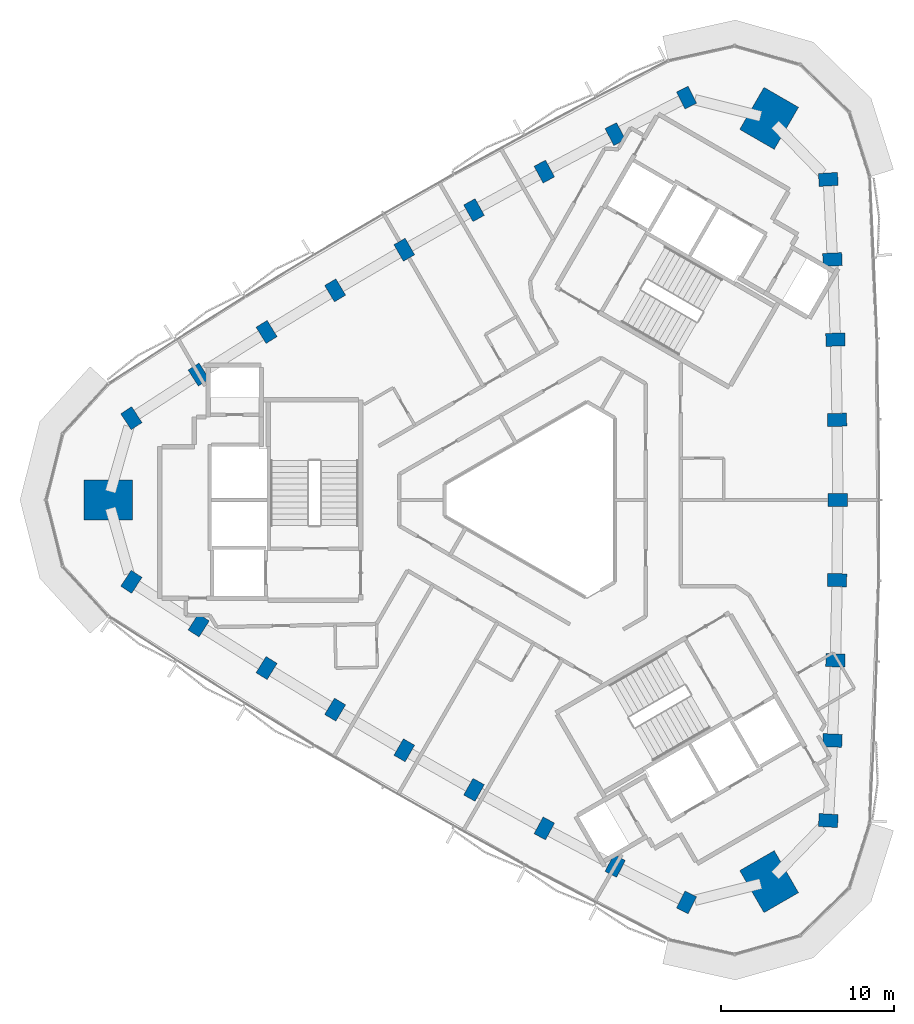
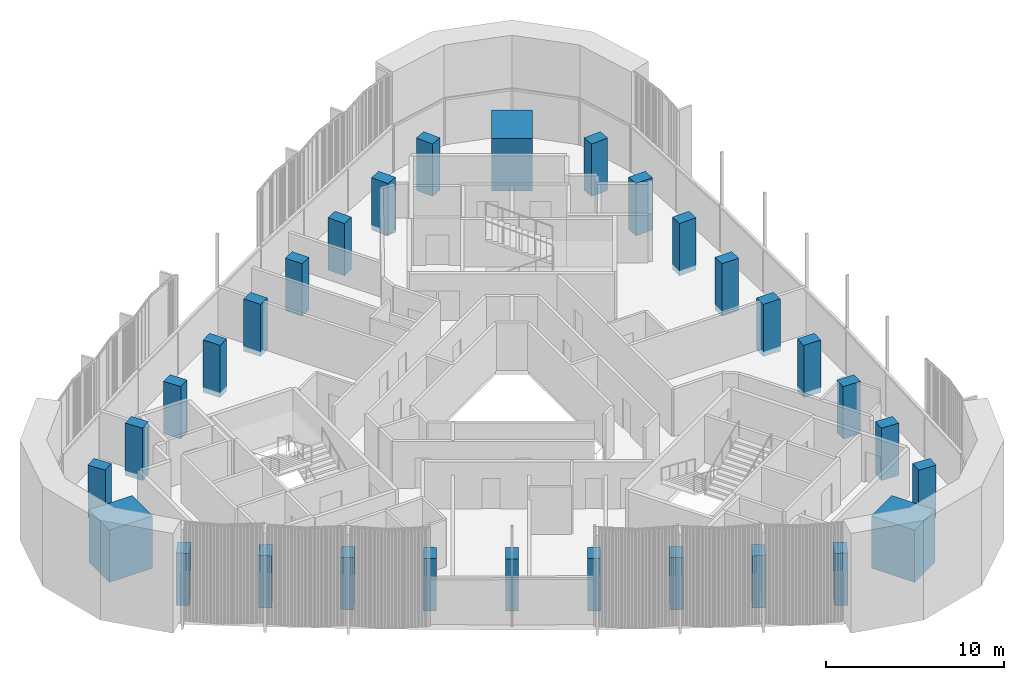
# One storey, part 1 of 16: 30 columns.
"""IFC4 building model written with IfcOpenShell, lengths in metres."""

from ifc_helpers import new_model, si_unit, direction, frame, origin, origin_2d, place, context, subcontext, project, spatial, rectangle, extrude, material, material_profile, profile_set, type_object, element, save


model = new_model("IFC4")

# Units and contexts
model_context = context("Model", 3, precision=1e-05, world=origin(), true_north=direction((0.0, 1.0)))
body_context = subcontext(model_context, "Body", "Model", "MODEL_VIEW")
ifc_project = project(units=[si_unit("LENGTHUNIT", "METRE"), si_unit("AREAUNIT", "SQUARE_METRE"), si_unit("VOLUMEUNIT", "CUBIC_METRE"), si_unit("PLANEANGLEUNIT", "RADIAN"), si_unit("MASSUNIT", "GRAM", prefix="KILO")], contexts=[model_context])

# Site, building, storey
site_placement = place(None, origin())
site = spatial("IfcSite", under=ifc_project, at=site_placement, CompositionType="ELEMENT")
building_placement = place(site_placement, origin())
building = spatial("IfcBuilding", under=site, at=building_placement, Name="Tamra Quay Hotel Tower", CompositionType="ELEMENT")
storey_placement = place(building_placement, frame((0.0, 0.0, 232.199951171875)))
storey = spatial("IfcBuildingStorey", under=building, at=storey_placement, Name="L58", CompositionType="ELEMENT", Elevation=232.199951171875)

# Columns
ifc_material = material(Name="Concrete M70", Category="concrete")
ifc_material_profile_1 = material_profile(ifc_material, rectangle(XDim=1.10009765625, YDim=0.75, at=origin_2d()), Name="COLUMN RC 750x1100 Z5")
ifc_profile_set_1 = profile_set([ifc_material_profile_1], Name="Concrete M70")
column_type_1 = type_object("IfcColumnType", Name="COLUMN RC 750x1100 Z5", PredefinedType="COLUMN", material=ifc_profile_set_1)
for number, where, z_axis, x_axis, name in (
    (1, (16.12548828125, -18.490966796875, -0.349853515625), (0.0, 0.0, 1.0), (-0.998292120165, 0.05841954139, 0.0), "COL-C5E01-L58"),
    (2, (16.36328125, -13.87158203125, -0.349853515625), (0.0, 0.0, 1.0), (-0.999033395056, 0.043957656467, 0.0), "COL-C5E02-L58"),
    (3, (16.533203125, -9.24951171875, -0.349853515625), (0.0, 0.0, 1.0), (-0.999578606696, 0.029027728727, 0.0), "COL-C5E03-L58"),
    (4, (16.63525390625, -4.625, -0.349853515625), (0.0, 0.0, 1.0), (-0.999888113, 0.014958659101, 0.0), "COL-C5E04-L58"),
    (5, (16.66943359375, 0.0, -0.349853515625), (0.0, 0.0, 1.0), (1.0, 0.0, 0.0), "COL-C5E05-L58"),
    (6, (16.63525390625, 4.625, -0.349853515625), (0.0, 0.0, 1.0), (0.999888113, 0.014958659101, 0.0), "COL-C5E06-L58"),
    (7, (16.533203125, 9.24951171875, -0.349853515625), (0.0, 0.0, 1.0), (0.999578606696, 0.029027728727, 0.0), "COL-C5E07-L58"),
    (8, (16.36328125, 13.87158203125, -0.349853515625), (0.0, 0.0, 1.0), (0.999033395056, 0.043957656467, 0.0), "COL-C5E08-L58"),
    (9, (16.12548828125, 18.490966796875, -0.349853515625), (0.0, 0.0, 1.0), (0.998292120165, 0.05841954139, 0.0), "COL-C5E09-L58"),
    (10, (7.950927734375, 23.210693359375, -0.349853515625), (0.0, 0.0, 1.0), (-0.448553253162, 0.893756107156, 0.0), "COL-C5NW01-L58"),
    (11, (3.83154296875, 21.10693359375, -0.349853515625), (0.0, 0.0, 1.0), (-0.461448250337, 0.887167127581, 0.0), "COL-C5NW02-L58"),
    (12, (-0.25634765625, 18.943115234375, -0.349853515625), (0.0, 0.0, 1.0), (-0.474650552857, 0.880174330842, 0.0), "COL-C5NW03-L58"),
    (13, (-4.312255859375, 16.718994140625, -0.349853515625), (0.0, 0.0, 1.0), (-0.486989477712, 0.87340783635, 0.0), "COL-C5NW04-L58"),
    (14, (-8.334716796875, 14.43603515625, -0.349853515625), (0.0, 0.0, 1.0), (-0.5, 0.866025403784, 0.0), "COL-C5NW05-L58"),
    (15, (-12.322998046875, 12.093994140625, -0.349853515625), (0.0, 0.0, 1.0), (-0.512898635288, 0.858449177249, 0.0), "COL-C5NW06-L58"),
    (16, (-16.277099609375, 9.693359375, -0.349853515625), (0.0, 0.0, 1.0), (-0.52492805384, 0.851146602115, 0.0), "COL-C5NW07-L58"),
    (17, (-20.19482421875, 7.235107421875, -0.349853515625), (0.0, 0.0, 1.0), (-0.537585144719, 0.843209471114, 0.0), "COL-C5NW08-L58"),
    (18, (-24.076416015625, 4.7197265625, -0.349853515625), (0.0, 0.0, 1.0), (-0.549738867003, 0.835336565766, 0.0), "COL-C5NW09-L58"),
    (19, (-24.076416015625, -4.7197265625, -0.349853515625), (0.0, 0.0, 1.0), (0.549738867003, 0.835336565766, 0.0), "COL-C5SW01-L58"),
    (20, (-20.19482421875, -7.235107421875, -0.349853515625), (0.0, 0.0, 1.0), (0.537585144719, 0.843209471114, 0.0), "COL-C5SW02-L58"),
    (21, (-16.277099609375, -9.693359375, -0.349853515625), (0.0, 0.0, 1.0), (0.52492805384, 0.851146602115, 0.0), "COL-C5SW03-L58"),
    (22, (-12.322998046875, -12.093994140625, -0.349853515625), (0.0, 0.0, 1.0), (0.512898635288, 0.858449177249, 0.0), "COL-C5SW04-L58"),
    (23, (-8.334716796875, -14.43603515625, -0.349853515625), (0.0, 0.0, 1.0), (0.5, 0.866025403784, 0.0), "COL-C5SW05-L58"),
    (24, (-4.312255859375, -16.718994140625, -0.349853515625), (0.0, 0.0, 1.0), (0.486989477712, 0.87340783635, 0.0), "COL-C5SW06-L58"),
    (25, (-0.25634765625, -18.943115234375, -0.349853515625), (0.0, 0.0, 1.0), (0.474650552857, 0.880174330842, 0.0), "COL-C5SW07-L58"),
    (26, (3.83154296875, -21.10693359375, -0.349853515625), (0.0, 0.0, 1.0), (0.461448250337, 0.887167127581, 0.0), "COL-C5SW08-L58"),
    (27, (7.950927734375, -23.210693359375, -0.349853515625), (0.0, 0.0, 1.0), (0.448553253162, 0.893756107156, 0.0), "COL-C5SW09-L58"),
):
    element("IfcColumn", number, at=place(storey_placement, frame(where, z_axis=z_axis, x_axis=x_axis)), inside=storey, type_object=column_type_1, Name=name, PredefinedType="COLUMN", context=body_context, shape_type="SweptSolid", body=[
        extrude(rectangle(XDim=1.10009765625, YDim=0.75, at=origin_2d()), origin(), (0.0, 0.0, 1.0), 3.599853515625),
    ])
ifc_material_profile_2 = material_profile(ifc_material, rectangle(XDim=2.800048828125, YDim=2.300048828125, at=origin_2d()), Name="MEGA COLUMN RC 2300x2800 Z5")
ifc_profile_set_2 = profile_set([ifc_material_profile_2], Name="Concrete M70")
column_type_2 = type_object("IfcColumnType", Name="MEGA COLUMN RC 2300x2800 Z5", PredefinedType="COLUMN", material=ifc_profile_set_2)
for number, where, z_axis, x_axis, name in (
    (28, (12.710205078125, 22.0146484375, -0.349853515625), (0.0, 0.0, 1.0), (0.5, 0.866025403784, 0.0), "COL-M5NE-L58"),
    (29, (-25.42041015625, 0.0, -0.349853515625), (0.0, 0.0, 1.0), (1.0, 0.0, 0.0), "COL-M5W-L58"),
    (30, (12.710205078125, -22.0146484375, -0.349853515625), (0.0, 0.0, 1.0), (-0.5, 0.866025403784, 0.0), "COL-M5SE-L58"),
):
    element("IfcColumn", number, at=place(storey_placement, frame(where, z_axis=z_axis, x_axis=x_axis)), inside=storey, type_object=column_type_2, Name=name, PredefinedType="COLUMN", context=body_context, shape_type="SweptSolid", body=[
        extrude(rectangle(XDim=2.800048828125, YDim=2.300048828125, at=origin_2d()), origin(), (0.0, 0.0, 1.0), 3.599853515625),
    ])

save(model, "model.ifc")
